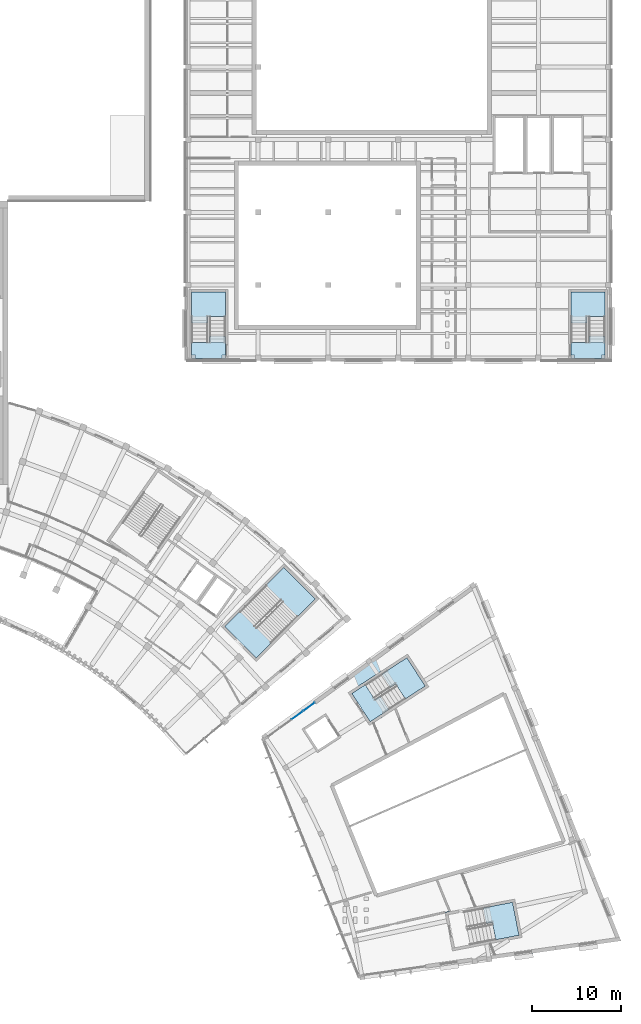
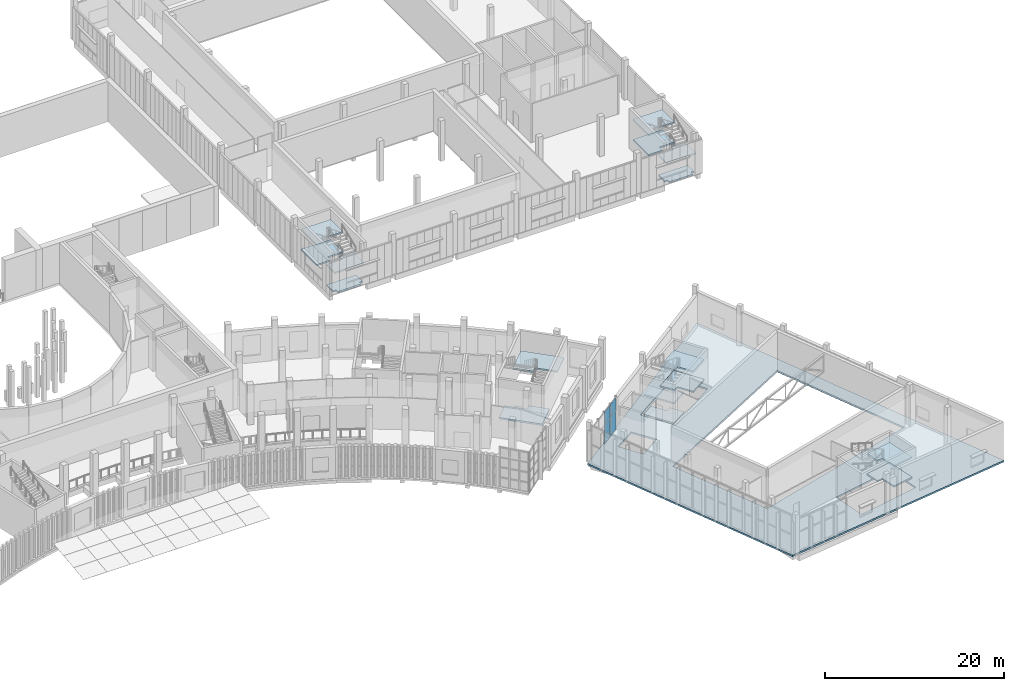
# One storey, part 51 of 112: 17 slabs, 4 plates, 6 elements without a shape of their own.
"""IFC4 building model written with IfcOpenShell, lengths in metres."""

from ifc_helpers import new_model, si_unit, direction, frame, origin, origin_2d, place, context, subcontext, project, spatial, polyline, rectangle, outline, extrude, material, layer, layer_set, type_object, element, aggregate, save


model = new_model("IFC4")

# Units and contexts
model_context = context("Model", 3, precision=1e-05, world=origin(), true_north=direction((0.0, 1.0)))
body_context = subcontext(model_context, "Body", "Model", "MODEL_VIEW")
ifc_project = project(units=[si_unit("LENGTHUNIT", "METRE"), si_unit("AREAUNIT", "SQUARE_METRE"), si_unit("VOLUMEUNIT", "CUBIC_METRE"), si_unit("PLANEANGLEUNIT", "RADIAN"), si_unit("MASSUNIT", "GRAM", prefix="KILO")], contexts=[model_context])

# Site, building, storey
site_placement = place(None, origin())
site = spatial("IfcSite", under=ifc_project, at=site_placement, CompositionType="ELEMENT")
building_placement = place(site_placement, origin())
building = spatial("IfcBuilding", under=site, at=building_placement, Name="Lunette Opera House", CompositionType="ELEMENT")
storey_placement = place(building_placement, frame((0.0, 0.0, 6.0)))
storey = spatial("IfcBuildingStorey", under=building, at=storey_placement, Name="L01", CompositionType="ELEMENT", Elevation=6.0)

# Slabs
ifc_material_1 = material(Name="Concrete C35/45", Category="concrete")
ifc_layer_1 = layer(ifc_material_1, 0.199951171875)
ifc_layer_set_1 = layer_set([ifc_layer_1], Name="Concrete C35/45")
slab_type_1 = type_object("IfcSlabType", Name="CORE LANDING SLAB 200", PredefinedType="LANDING", material=ifc_layer_set_1)
slab_1_placement = place(storey_placement, frame((0.0, 0.0, -0.199951171875)))
element("IfcSlab", 1, at=slab_1_placement, inside=storey, type_object=slab_type_1, Name="ST18 floor landing", PredefinedType="LANDING", context=body_context, shape_type="SweptSolid", body=[
    extrude(outline(polyline([(136.699951171875, 78.199951171875), (136.699951171875, 80.0), (140.5, 80.0), (140.5, 78.60009765625), (140.10009765625, 78.60009765625), (140.10009765625, 78.199951171875), (137.10009765625, 78.199951171875), (137.10009765625, 78.60009765625), (136.699951171875, 78.60009765625), (136.699951171875, 78.199951171875)])), origin(), (0.0, 0.0, 1.0), 0.199951171875),
])
slab_2_placement = place(storey_placement, frame((0.0, 0.0, -0.199951171875)))
element("IfcSlab", 2, at=slab_2_placement, inside=storey, type_object=slab_type_1, Name="ST20 floor landing", PredefinedType="LANDING", context=body_context, shape_type="SweptSolid", body=[
    extrude(outline(polyline([(179.5, 80.0), (183.300048828125, 80.0), (183.300048828125, 78.199951171875), (183.300048828125, 78.60009765625), (182.89990234375, 78.60009765625), (182.89990234375, 78.199951171875), (179.89990234375, 78.199951171875), (179.89990234375, 78.60009765625), (179.5, 78.60009765625), (179.5, 80.0)])), origin(), (0.0, 0.0, 1.0), 0.199951171875),
])
ifc_material_2 = material(Name="Concrete C35/45", Category="concrete")
ifc_layer_2 = layer(ifc_material_2, 0.219970703125)
ifc_layer_set_2 = layer_set([ifc_layer_2], Name="Concrete C35/45")
slab_type_2 = type_object("IfcSlabType", Name="CORE LANDING SLAB 220", PredefinedType="LANDING", material=ifc_layer_set_2)
slab_3_placement = place(storey_placement, frame((0.0, 0.0, -0.219970703125)))
element("IfcSlab", 3, at=slab_3_placement, inside=storey, type_object=slab_type_2, Name="ST21 floor landing", PredefinedType="LANDING", context=body_context, shape_type="SweptSolid", body=[
    extrude(outline(polyline([(154.761962890625, 40.426025390625), (156.280029296875, 41.412109375), (157.260009765625, 39.902099609375), (157.251953125, 39.89697265625), (157.361083984375, 39.72900390625), (157.947998046875, 40.110107421875), (158.927978515625, 38.60009765625), (156.83203125, 37.239013671875), (154.761962890625, 40.426025390625)])), origin(), (0.0, 0.0, 1.0), 0.219970703125),
])
slab_4_placement = place(storey_placement, frame((0.0, 0.0, -0.219970703125)))
element("IfcSlab", 4, at=slab_4_placement, inside=storey, type_object=slab_type_2, Name="ST4 floor landing", PredefinedType="LANDING", context=body_context, shape_type="SweptSolid", body=[
    extrude(outline(polyline([(140.44091796875, 47.97705078125), (142.14501953125, 49.680908203125), (143.842041015625, 47.98388671875), (143.8349609375, 47.97705078125), (143.97705078125, 47.8349609375), (144.471923828125, 48.330078125), (146.1689453125, 46.633056640625), (143.97705078125, 44.44091796875), (140.44091796875, 47.97705078125)])), origin(), (0.0, 0.0, 1.0), 0.219970703125),
])

# Curtain wall, plates
ifc_material_3 = material(Name="Aluminium", Category="aluminium")
ifc_layer_3 = layer(ifc_material_3, 0.139892578125)
ifc_layer_set_3 = layer_set([ifc_layer_3], Name="Aluminium")
curtain_wall_type = type_object("IfcCurtainWallType", Name="STUDIO CURTAIN WALL", PredefinedType="NOTDEFINED", material=ifc_layer_set_3)
curtain_wall_placement = place(storey_placement, origin())
curtain_wall = element("IfcCurtainWall", 5, at=curtain_wall_placement, inside=storey, type_object=curtain_wall_type, Name="Studio Curtain Wall F04 L01", PredefinedType="NOTDEFINED")
ifc_material_4 = material(Name="Laminated glass", Category="glass")
ifc_layer_4 = layer(ifc_material_4, 0.028076171875)
ifc_layer_set_4 = layer_set([ifc_layer_4], Name="Laminated glass")
plate_type = type_object("IfcPlateType", Name="CURTAIN PANEL LAMINATED GLASS 28", PredefinedType="CURTAIN_PANEL", material=ifc_layer_set_4)
plate_1_placement = place(storey_placement, frame((149.93359375, 38.92578125, 0.06005859375), z_axis=(0.0, 0.0, 1.0), x_axis=(-0.809026920488, -0.587771589927, 0.0)))
plate_1 = element("IfcPlate", 6, at=plate_1_placement, type_object=plate_type, Name="SB-X2007 panel 1.1", PredefinedType="CURTAIN_PANEL", context=body_context, shape_type="SweptSolid", body=[
    extrude(rectangle(XDim=1.544921875, YDim=0.028076171875, at=origin_2d()), origin(), (0.0, 0.0, 1.0), 2.550048828125),
])
plate_2_placement = place(storey_placement, frame((149.93359375, 38.92578125, 2.669921875), z_axis=(0.0, 0.0, 1.0), x_axis=(-0.809026920488, -0.587771589927, 0.0)))
plate_2 = element("IfcPlate", 7, at=plate_2_placement, type_object=plate_type, Name="SB-X2007 panel 1.2", PredefinedType="CURTAIN_PANEL", context=body_context, shape_type="SweptSolid", body=[
    extrude(rectangle(XDim=1.544921875, YDim=0.028076171875, at=origin_2d()), origin(), (0.0, 0.0, 1.0), 1.75),
])
plate_3_placement = place(storey_placement, frame((148.622802734375, 37.973388671875, 0.06005859375), z_axis=(0.0, 0.0, 1.0), x_axis=(-0.809026920488, -0.587771589927, 0.0)))
plate_3 = element("IfcPlate", 8, at=plate_3_placement, type_object=plate_type, Name="SB-X2007 panel 2.1", PredefinedType="CURTAIN_PANEL", context=body_context, shape_type="SweptSolid", body=[
    extrude(rectangle(XDim=1.574951171875, YDim=0.028076171875, at=origin_2d()), origin(), (0.0, 0.0, 1.0), 2.550048828125),
])
plate_4_placement = place(storey_placement, frame((148.622802734375, 37.973388671875, 2.669921875), z_axis=(0.0, 0.0, 1.0), x_axis=(-0.809026920488, -0.587771589927, 0.0)))
plate_4 = element("IfcPlate", 9, at=plate_4_placement, type_object=plate_type, Name="SB-X2007 panel 2.2", PredefinedType="CURTAIN_PANEL", context=body_context, shape_type="SweptSolid", body=[
    extrude(rectangle(XDim=1.574951171875, YDim=0.028076171875, at=origin_2d()), origin(), (0.0, 0.0, 1.0), 1.75),
])
aggregate(curtain_wall, [plate_1, plate_2, plate_3, plate_4])

# Slab
ifc_material_5 = material(Name="Concrete C35/45", Category="concrete")
ifc_layer_5 = layer(ifc_material_5, 0.219970703125)
ifc_layer_set_5 = layer_set([ifc_layer_5], Name="Concrete C35/45")
slab_type_3 = type_object("IfcSlabType", Name="FLOOR SLAB 220", PredefinedType="FLOOR", material=ifc_layer_set_5)
slab_5_placement = place(storey_placement, frame((0.0, 0.0, -0.219970703125)))
element("IfcSlab", 10, at=slab_5_placement, inside=storey, type_object=slab_type_3, Name="slab-SB-L01-F1", PredefinedType="FLOOR", context=body_context, shape_type="SweptSolid", body=[
    extrude(outline(polyline([(155.416015625, 8.35009765625), (185.1240234375, 12.52587890625), (168.81201171875, 52.90087890625), (144.541015625, 35.26708984375), (155.416015625, 8.35009765625)]), holes=[polyline([(157.52099609375, 17.64111328125), (152.509033203125, 30.0458984375), (171.93310546875, 40.375), (178.6689453125, 23.705078125), (157.52099609375, 17.64111328125)]), polyline([(165.27587890625, 15.70703125), (173.12890625, 17.23291015625), (173.968017578125, 12.9140625), (166.114990234375, 11.387939453125), (165.27587890625, 15.70703125)]), polyline([(151.822998046875, 38.158935546875), (153.56591796875, 35.47607421875), (150.882080078125, 33.73291015625), (149.138916015625, 36.4169921875), (151.822998046875, 38.158935546875)]), polyline([(161.056884765625, 44.8720703125), (163.452880859375, 41.180908203125), (156.743896484375, 36.823974609375), (154.346923828125, 40.513916015625), (161.056884765625, 44.8720703125)])]), origin(), (0.0, 0.0, 1.0), 0.219970703125),
])

# Stair, slabs
ifc_material_6 = material(Name="Concrete C35/45", Category="concrete")
stair_type_1 = type_object("IfcStairType", Name="DOGLEG STAIR 1800", PredefinedType="HALF_TURN_STAIR", material=ifc_material_6)
stair_1_placement = place(storey_placement, origin())
stair_1 = element("IfcStair", 11, at=stair_1_placement, inside=storey, type_object=stair_type_1, Name="L01 stair ST18", PredefinedType="HALF_TURN_STAIR")
ifc_material_7 = material(Name="Concrete C35/45", Category="concrete")
ifc_layer_6 = layer(ifc_material_7, 0.199951171875)
ifc_layer_set_6 = layer_set([ifc_layer_6], Name="Concrete C35/45")
slab_type_4 = type_object("IfcSlabType", Name="STAIR LANDING SLAB 200", PredefinedType="LANDING", material=ifc_layer_set_6)
slab_6_placement = place(storey_placement, frame((0.0, 0.0, 1.175048828125)))
slab_6 = element("IfcSlab", 12, at=slab_6_placement, type_object=slab_type_4, Name="ST18 landing 1", PredefinedType="LANDING", context=body_context, shape_type="SweptSolid", body=[
    extrude(outline(polyline([(140.5, 82.929931640625), (138.699951171875, 82.929931640625), (138.699951171875, 82.93994140625), (138.5, 82.93994140625), (138.5, 82.239990234375), (136.699951171875, 82.239990234375), (136.699951171875, 85.699951171875), (140.5, 85.699951171875), (140.5, 82.929931640625)])), origin(), (0.0, 0.0, 1.0), 0.199951171875),
])
slab_7_placement = place(storey_placement, frame((0.0, 0.0, 2.550048828125)))
slab_7 = element("IfcSlab", 13, at=slab_7_placement, type_object=slab_type_4, Name="ST18 landing 2", PredefinedType="LANDING", context=body_context, shape_type="SweptSolid", body=[
    extrude(outline(polyline([(136.699951171875, 78.199951171875), (136.699951171875, 80.010009765625), (138.5, 80.010009765625), (138.5, 80.0), (138.699951171875, 80.0), (138.699951171875, 80.699951171875), (140.5, 80.699951171875), (140.5, 78.199951171875), (136.699951171875, 78.199951171875)])), origin(), (0.0, 0.0, 1.0), 0.199951171875),
])
slab_8_placement = place(storey_placement, frame((0.0, 0.0, 3.925048828125)))
slab_8 = element("IfcSlab", 14, at=slab_8_placement, type_object=slab_type_4, Name="ST18 landing 3", PredefinedType="LANDING", context=body_context, shape_type="SweptSolid", body=[
    extrude(outline(polyline([(140.5, 82.929931640625), (138.699951171875, 82.929931640625), (138.699951171875, 82.93994140625), (138.5, 82.93994140625), (138.5, 82.239990234375), (136.699951171875, 82.239990234375), (136.699951171875, 85.699951171875), (140.5, 85.699951171875), (140.5, 82.929931640625)])), origin(), (0.0, 0.0, 1.0), 0.199951171875),
])
aggregate(stair_1, [slab_6, slab_7, slab_8])

stair_2_placement = place(storey_placement, origin())
stair_2 = element("IfcStair", 15, at=stair_2_placement, inside=storey, type_object=stair_type_1, Name="L01 stair ST20", PredefinedType="HALF_TURN_STAIR")
slab_9_placement = place(storey_placement, frame((0.0, 0.0, 1.175048828125)))
slab_9 = element("IfcSlab", 16, at=slab_9_placement, type_object=slab_type_4, Name="ST20 landing 1", PredefinedType="LANDING", context=body_context, shape_type="SweptSolid", body=[
    extrude(outline(polyline([(183.300048828125, 82.929931640625), (181.5, 82.929931640625), (181.5, 82.93994140625), (181.300048828125, 82.93994140625), (181.300048828125, 82.239990234375), (179.5, 82.239990234375), (179.5, 85.699951171875), (183.300048828125, 85.699951171875), (183.300048828125, 82.929931640625)])), origin(), (0.0, 0.0, 1.0), 0.199951171875),
])
slab_10_placement = place(storey_placement, frame((0.0, 0.0, 2.550048828125)))
slab_10 = element("IfcSlab", 17, at=slab_10_placement, type_object=slab_type_4, Name="ST20 landing 2", PredefinedType="LANDING", context=body_context, shape_type="SweptSolid", body=[
    extrude(outline(polyline([(179.5, 78.199951171875), (179.5, 80.010009765625), (181.300048828125, 80.010009765625), (181.300048828125, 80.0), (181.5, 80.0), (181.5, 80.699951171875), (183.300048828125, 80.699951171875), (183.300048828125, 78.199951171875), (179.5, 78.199951171875)])), origin(), (0.0, 0.0, 1.0), 0.199951171875),
])
slab_11_placement = place(storey_placement, frame((0.0, 0.0, 3.925048828125)))
slab_11 = element("IfcSlab", 18, at=slab_11_placement, type_object=slab_type_4, Name="ST20 landing 3", PredefinedType="LANDING", context=body_context, shape_type="SweptSolid", body=[
    extrude(outline(polyline([(183.300048828125, 82.929931640625), (181.5, 82.929931640625), (181.5, 82.93994140625), (181.300048828125, 82.93994140625), (181.300048828125, 82.239990234375), (179.5, 82.239990234375), (179.5, 85.699951171875), (183.300048828125, 85.699951171875), (183.300048828125, 82.929931640625)])), origin(), (0.0, 0.0, 1.0), 0.199951171875),
])
aggregate(stair_2, [slab_9, slab_10, slab_11])

stair_3_placement = place(storey_placement, origin())
stair_3 = element("IfcStair", 19, at=stair_3_placement, inside=storey, type_object=stair_type_1, Name="L01 stair ST21", PredefinedType="HALF_TURN_STAIR")
slab_12_placement = place(storey_placement, frame((0.0, 0.0, 1.175048828125)))
slab_12 = element("IfcSlab", 20, at=slab_12_placement, type_object=slab_type_4, Name="ST21 landing 1", PredefinedType="LANDING", context=body_context, shape_type="SweptSolid", body=[
    extrude(outline(polyline([(160.799072265625, 39.81494140625), (159.818115234375, 41.324951171875), (159.825927734375, 41.330078125), (159.717041015625, 41.498046875), (159.1298828125, 41.116943359375), (158.14990234375, 42.6259765625), (160.968994140625, 44.45703125), (163.0390625, 41.27001953125), (160.799072265625, 39.81494140625)])), origin(), (0.0, 0.0, 1.0), 0.199951171875),
])
slab_13_placement = place(storey_placement, frame((0.0, 0.0, 2.550048828125)))
slab_13 = element("IfcSlab", 21, at=slab_13_placement, type_object=slab_type_4, Name="ST21 landing 2", PredefinedType="LANDING", context=body_context, shape_type="SweptSolid", body=[
    extrude(outline(polyline([(154.761962890625, 40.426025390625), (156.280029296875, 41.412109375), (157.260009765625, 39.902099609375), (157.251953125, 39.89697265625), (157.361083984375, 39.72900390625), (157.947998046875, 40.110107421875), (158.927978515625, 38.60009765625), (156.83203125, 37.239013671875), (154.761962890625, 40.426025390625)])), origin(), (0.0, 0.0, 1.0), 0.199951171875),
])
slab_14_placement = place(storey_placement, frame((0.0, 0.0, 3.925048828125)))
slab_14 = element("IfcSlab", 22, at=slab_14_placement, type_object=slab_type_4, Name="ST21 landing 3", PredefinedType="LANDING", context=body_context, shape_type="SweptSolid", body=[
    extrude(outline(polyline([(160.799072265625, 39.81494140625), (159.818115234375, 41.324951171875), (159.825927734375, 41.330078125), (159.717041015625, 41.498046875), (159.1298828125, 41.116943359375), (158.14990234375, 42.6259765625), (160.968994140625, 44.45703125), (163.0390625, 41.27001953125), (160.799072265625, 39.81494140625)])), origin(), (0.0, 0.0, 1.0), 0.199951171875),
])
aggregate(stair_3, [slab_12, slab_13, slab_14])

stair_4_placement = place(storey_placement, origin())
stair_4 = element("IfcStair", 23, at=stair_4_placement, inside=storey, type_object=stair_type_1, Name="L01 stair ST22", PredefinedType="HALF_TURN_STAIR")
slab_15_placement = place(storey_placement, frame((0.0, 0.0, 1.175048828125)))
slab_15 = element("IfcSlab", 24, at=slab_15_placement, type_object=slab_type_4, Name="ST22 landing 1", PredefinedType="LANDING", context=body_context, shape_type="SweptSolid", body=[
    extrude(outline(polyline([(173.616943359375, 13.15087890625), (170.9951171875, 12.64208984375), (170.652099609375, 14.408935546875), (170.662109375, 14.410888671875), (170.6240234375, 14.60693359375), (169.93701171875, 14.472900390625), (169.593017578125, 16.239990234375), (172.89208984375, 16.881103515625), (173.616943359375, 13.15087890625)])), origin(), (0.0, 0.0, 1.0), 0.199951171875),
])
slab_16_placement = place(storey_placement, frame((0.0, 0.0, 3.925048828125)))
slab_16 = element("IfcSlab", 25, at=slab_16_placement, type_object=slab_type_4, Name="ST22 landing 3", PredefinedType="LANDING", context=body_context, shape_type="SweptSolid", body=[
    extrude(outline(polyline([(173.616943359375, 13.15087890625), (170.9951171875, 12.64208984375), (170.652099609375, 14.408935546875), (170.662109375, 14.410888671875), (170.6240234375, 14.60693359375), (169.93701171875, 14.472900390625), (169.593017578125, 16.239990234375), (172.89208984375, 16.881103515625), (173.616943359375, 13.15087890625)])), origin(), (0.0, 0.0, 1.0), 0.199951171875),
])
aggregate(stair_4, [slab_15, slab_16])

# Stair, slab
ifc_material_8 = material(Name="Concrete C35/45", Category="concrete")
stair_type_2 = type_object("IfcStairType", Name="DOGLEG STAIR 2400", PredefinedType="HALF_TURN_STAIR", material=ifc_material_8)
stair_5_placement = place(storey_placement, origin())
stair_5 = element("IfcStair", 26, at=stair_5_placement, inside=storey, type_object=stair_type_2, Name="L01 stair ST4", PredefinedType="HALF_TURN_STAIR")
slab_17_placement = place(storey_placement, frame((0.0, 0.0, 2.550048828125)))
slab_17 = element("IfcSlab", 27, at=slab_17_placement, type_object=slab_type_4, Name="ST4 landing 1", PredefinedType="LANDING", context=body_context, shape_type="SweptSolid", body=[
    extrude(outline(polyline([(148.636962890625, 49.10107421875), (146.93994140625, 50.798095703125), (146.947021484375, 50.804931640625), (146.804931640625, 50.947021484375), (146.31005859375, 50.451904296875), (144.613037109375, 52.14892578125), (147.087890625, 54.6240234375), (150.6240234375, 51.087890625), (148.636962890625, 49.10107421875)])), origin(), (0.0, 0.0, 1.0), 0.199951171875),
])
aggregate(stair_5, [slab_17])

save(model, "model.ifc")
